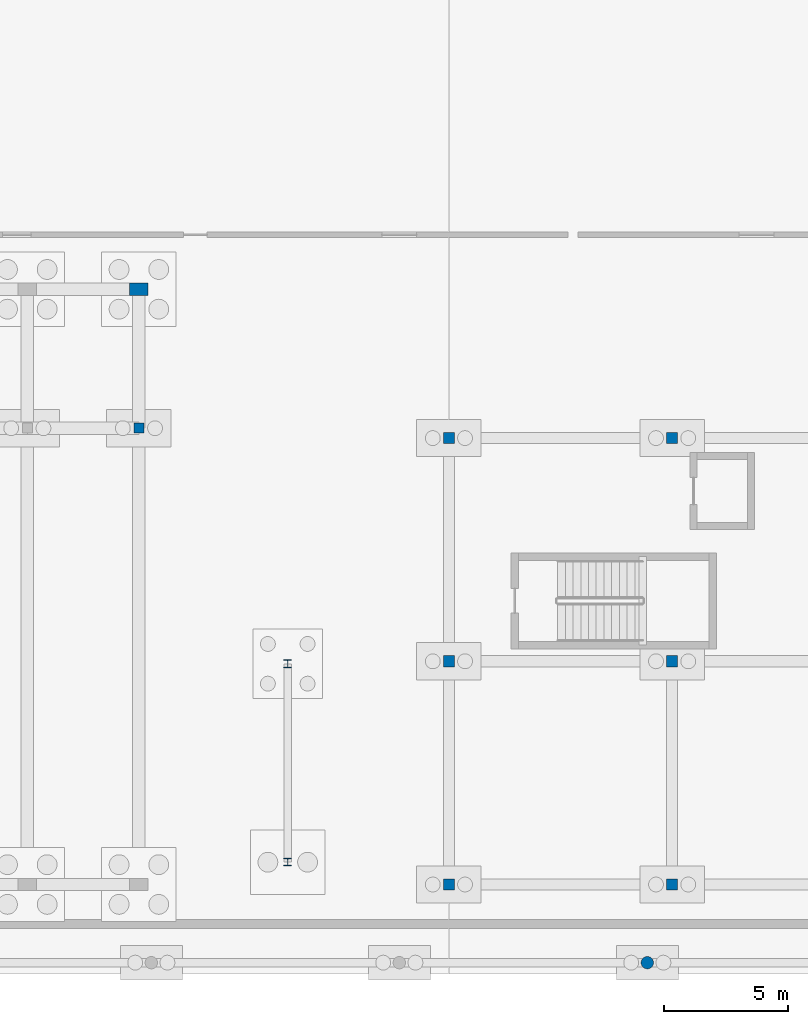
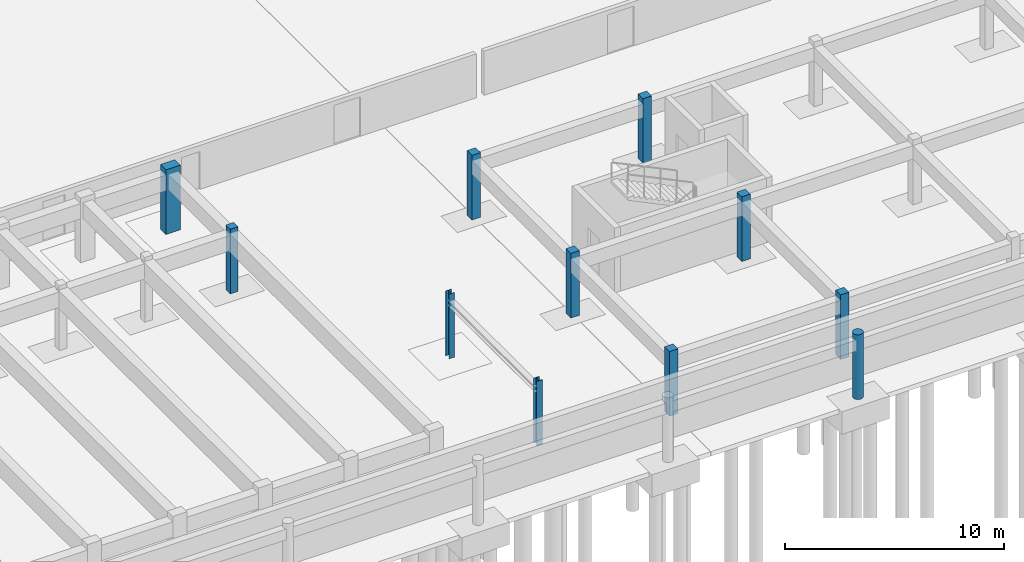
# One storey, part 8 of 32: 11 columns.
"""IFC4 building model written with IfcOpenShell, lengths in metres."""

from ifc_helpers import new_model, si_unit, direction, frame, origin, origin_2d, place, context, subcontext, project, spatial, rectangle, circle, i_section, extrude, material, material_profile, profile_set, type_object, element, save


model = new_model("IFC4")

# Units and contexts
model_context = context("Model", 3, precision=1e-05, world=origin(), true_north=direction((0.0, 1.0)))
body_context = subcontext(model_context, "Body", "Model", "MODEL_VIEW")
ifc_project = project(units=[si_unit("LENGTHUNIT", "METRE"), si_unit("AREAUNIT", "SQUARE_METRE"), si_unit("VOLUMEUNIT", "CUBIC_METRE"), si_unit("PLANEANGLEUNIT", "RADIAN"), si_unit("MASSUNIT", "GRAM", prefix="KILO")], contexts=[model_context])

# Site, building, storey
site_placement = place(None, origin())
site = spatial("IfcSite", under=ifc_project, at=site_placement, CompositionType="ELEMENT")
building_placement = place(site_placement, origin())
building = spatial("IfcBuilding", under=site, at=building_placement, Name="Zimvara Arc Housing Community", CompositionType="ELEMENT")
storey_placement = place(building_placement, frame((0.0, 0.0, -3.60009765625)))
storey = spatial("IfcBuildingStorey", under=building, at=storey_placement, Name="B1", CompositionType="ELEMENT", Elevation=-3.60009765625)

# Columns
ifc_material_1 = material(Name="Concrete C40/50", Category="concrete")
ifc_material_profile_1 = material_profile(ifc_material_1, rectangle(XDim=0.39990234375, YDim=0.39990234375, at=origin_2d()), Name="RC 400x400")
ifc_profile_set_1 = profile_set([ifc_material_profile_1], Name="Concrete C40/50")
column_type_1 = type_object("IfcColumnType", Name="COL-RC-400x400", PredefinedType="COLUMN", material=ifc_profile_set_1)
column_1_placement = place(storey_placement, frame((99.5, 22.0, 0.0), z_axis=(0.0, 0.0, 1.0), x_axis=(1.0, 0.0, 0.0)))
element("IfcColumn", 1, at=column_1_placement, inside=storey, type_object=column_type_1, Name="col:hall:B1:gal:x7", PredefinedType="COLUMN", context=body_context, shape_type="SweptSolid", body=[
    extrude(rectangle(XDim=0.39990234375, YDim=0.39990234375, at=origin_2d()), origin(), (0.0, 0.0, 1.0), 3.60009765625),
])
ifc_material_2 = material(Name="Concrete C40/50", Category="concrete")
ifc_material_profile_2 = material_profile(ifc_material_2, rectangle(XDim=0.449951171875, YDim=0.449951171875, at=origin_2d()), Name="RC 450x450")
ifc_profile_set_2 = profile_set([ifc_material_profile_2], Name="Concrete C40/50")
column_type_2 = type_object("IfcColumnType", Name="COL-RC-450x450", PredefinedType="COLUMN", material=ifc_profile_set_2)
for number, where, z_axis, x_axis, name in (
    (2, (112.0, 3.60009765625, 0.0), (0.0, 0.0, 1.0), (1.0, 0.0, 0.0), "col:nursery:B1:x0:y0"),
    (3, (112.0, 12.60009765625, 0.0), (0.0, 0.0, 1.0), (1.0, 0.0, 0.0), "col:nursery:B1:x0:y1"),
    (4, (112.0, 21.60009765625, 0.0), (0.0, 0.0, 1.0), (1.0, 0.0, 0.0), "col:nursery:B1:x0:y2"),
    (5, (121.0, 3.60009765625, 0.0), (0.0, 0.0, 1.0), (1.0, 0.0, 0.0), "col:nursery:B1:x1:y0"),
    (6, (121.0, 12.60009765625, 0.0), (0.0, 0.0, 1.0), (1.0, 0.0, 0.0), "col:nursery:B1:x1:y1"),
    (7, (121.0, 21.60009765625, 0.0), (0.0, 0.0, 1.0), (1.0, 0.0, 0.0), "col:nursery:B1:x1:y2"),
):
    element("IfcColumn", number, at=place(storey_placement, frame(where, z_axis=z_axis, x_axis=x_axis)), inside=storey, type_object=column_type_2, Name=name, PredefinedType="COLUMN", context=body_context, shape_type="SweptSolid", body=[
        extrude(rectangle(XDim=0.449951171875, YDim=0.449951171875, at=origin_2d()), origin(), (0.0, 0.0, 1.0), 3.60009765625),
    ])
ifc_material_3 = material(Name="Concrete C40/50", Category="concrete")
ifc_material_profile_3 = material_profile(ifc_material_3, rectangle(XDim=0.5, YDim=0.75, at=origin_2d()), Name="RC 500x750")
ifc_profile_set_3 = profile_set([ifc_material_profile_3], Name="Concrete C40/50")
column_type_3 = type_object("IfcColumnType", Name="COL-RC-500x750", PredefinedType="COLUMN", material=ifc_profile_set_3)
column_2_placement = place(storey_placement, frame((99.5, 27.60009765625, 0.0), z_axis=(0.0, 0.0, 1.0), x_axis=(0.0, 1.0, 0.0)))
element("IfcColumn", 8, at=column_2_placement, inside=storey, type_object=column_type_3, Name="col:hall:B1:x7:y1", PredefinedType="COLUMN", context=body_context, shape_type="SweptSolid", body=[
    extrude(rectangle(XDim=0.5, YDim=0.75, at=origin_2d()), origin(), (0.0, 0.0, 1.0), 3.60009765625),
])
ifc_material_4 = material(Name="Concrete C40/50", Category="concrete")
ifc_material_profile_4 = material_profile(ifc_material_4, circle(Radius=0.25, at=origin_2d()), Name="RC D500")
ifc_profile_set_4 = profile_set([ifc_material_profile_4], Name="Concrete C40/50")
column_type_4 = type_object("IfcColumnType", Name="COL-RC-D500", PredefinedType="COLUMN", material=ifc_profile_set_4)
column_3_placement = place(storey_placement, frame((120.0, 0.449951171875, 0.0), z_axis=(0.0, 0.0, 1.0), x_axis=(1.0, 0.0, 0.0)))
element("IfcColumn", 9, at=column_3_placement, inside=storey, type_object=column_type_4, Name="col:colonnade:B1:12", PredefinedType="COLUMN", context=body_context, shape_type="SweptSolid", body=[
    extrude(circle(Radius=0.25, at=origin_2d()), origin(), (0.0, 0.0, 1.0), 3.60009765625),
])
ifc_material_5 = material(Name="Steel S355", Category="steel")
ifc_material_profile_5 = material_profile(ifc_material_5, i_section(OverallWidth=0.300048828125, OverallDepth=0.31005859375, WebThickness=0.009033203125, FlangeThickness=0.015380859375, FilletRadius=0.027099609375, at=origin_2d()), Name="HEA 320")
ifc_profile_set_5 = profile_set([ifc_material_profile_5], Name="Steel S355")
column_type_5 = type_object("IfcColumnType", Name="COL-ST-HEA320", PredefinedType="COLUMN", material=ifc_profile_set_5)
column_4_placement = place(storey_placement, frame((105.5, 12.5, 0.0), z_axis=(0.0, 0.0, 1.0), x_axis=(1.0, 0.0, 0.0)))
element("IfcColumn", 10, at=column_4_placement, inside=storey, type_object=column_type_5, Name="col:portal:B1:corepad:2", PredefinedType="COLUMN", context=body_context, shape_type="SweptSolid", body=[
    extrude(i_section(OverallWidth=0.300048828125, OverallDepth=0.31005859375, WebThickness=0.009033203125, FlangeThickness=0.015380859375, FilletRadius=0.027099609375, at=origin_2d()), origin(), (0.0, 0.0, 1.0), 3.60009765625),
])
ifc_material_6 = material(Name="Steel S355", Category="steel")
ifc_material_profile_6 = material_profile(ifc_material_6, i_section(OverallWidth=0.300048828125, OverallDepth=0.300048828125, WebThickness=0.010986328125, FlangeThickness=0.01904296875, FilletRadius=0.027099609375, at=origin_2d()), Name="HEB 300")
ifc_profile_set_6 = profile_set([ifc_material_profile_6], Name="Steel S355")
column_type_6 = type_object("IfcColumnType", Name="COL-ST-HEB300", PredefinedType="COLUMN", material=ifc_profile_set_6)
column_5_placement = place(storey_placement, frame((105.5, 4.5, 0.0), z_axis=(0.0, 0.0, 1.0), x_axis=(1.0, 0.0, 0.0)))
element("IfcColumn", 11, at=column_5_placement, inside=storey, type_object=column_type_6, Name="col:portal:B1:portal:e", PredefinedType="COLUMN", context=body_context, shape_type="SweptSolid", body=[
    extrude(i_section(OverallWidth=0.300048828125, OverallDepth=0.300048828125, WebThickness=0.010986328125, FlangeThickness=0.01904296875, FilletRadius=0.027099609375, at=origin_2d()), origin(), (0.0, 0.0, 1.0), 3.60009765625),
])

save(model, "model.ifc")
